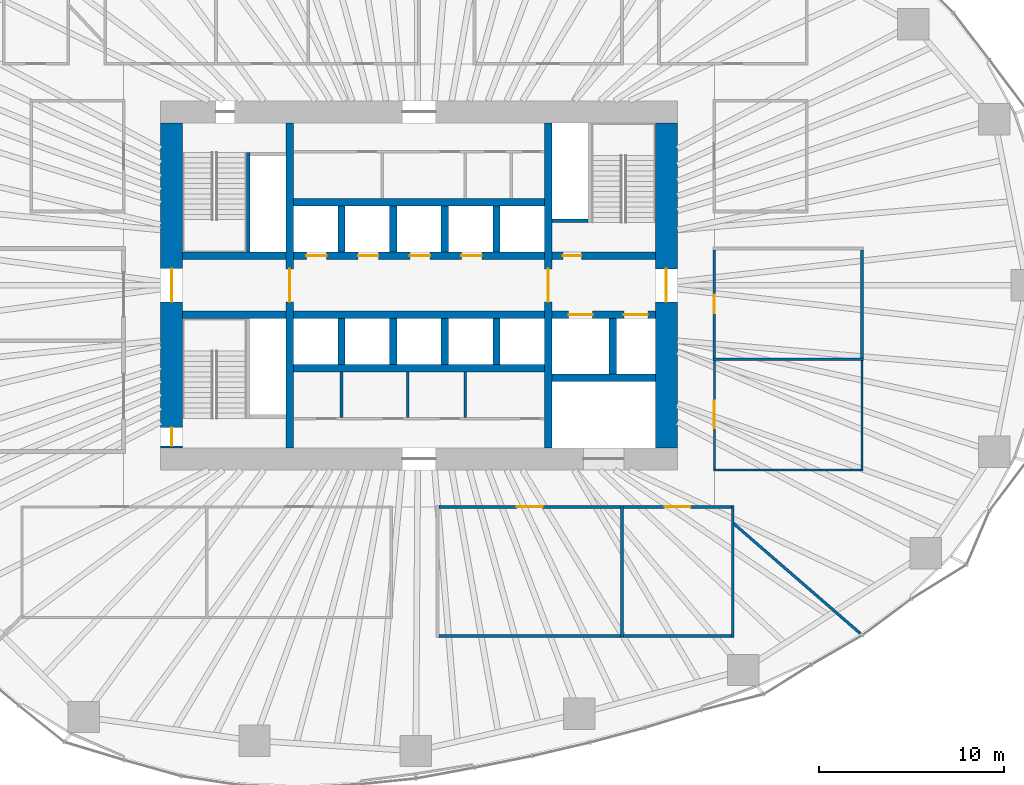
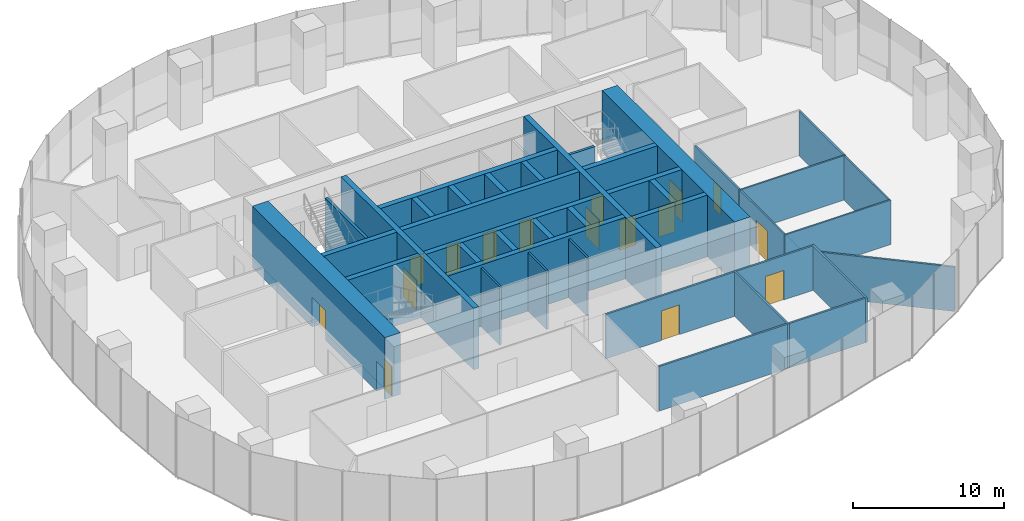
# One storey, part 10 of 20: 40 walls, 16 doors, 16 openings.
"""IFC4 building model written with IfcOpenShell, lengths in metres."""

from ifc_helpers import new_model, si_unit, direction, frame, frame_2d, origin, place, context, subcontext, project, spatial, rectangle, extrude, material, layer, layer_set, type_object, element, fill, save


model = new_model("IFC4")

# Units and contexts
model_context = context("Model", 3, precision=1e-05, world=origin(), true_north=direction((0.0, 1.0)))
body_context = subcontext(model_context, "Body", "Model", "MODEL_VIEW")
ifc_project = project(units=[si_unit("LENGTHUNIT", "METRE"), si_unit("AREAUNIT", "SQUARE_METRE"), si_unit("VOLUMEUNIT", "CUBIC_METRE"), si_unit("PLANEANGLEUNIT", "RADIAN"), si_unit("MASSUNIT", "GRAM", prefix="KILO")], contexts=[model_context])

# Site, building, storey
site_placement = place(None, origin())
site = spatial("IfcSite", under=ifc_project, at=site_placement, CompositionType="ELEMENT")
building_placement = place(site_placement, origin())
building = spatial("IfcBuilding", under=site, at=building_placement, Name="Ghaith Harvest Tower", CompositionType="ELEMENT")
storey_placement = place(building_placement, frame((0.0, 0.0, 85.0)))
storey = spatial("IfcBuildingStorey", under=building, at=storey_placement, Name="L17", CompositionType="ELEMENT", Elevation=85.0)

# Walls
ifc_material_1 = material(Name="Concrete blockwork, fair-faced", Category="masonry")
ifc_layer_1 = layer(ifc_material_1, 0.139892578125)
ifc_layer_set_1 = layer_set([ifc_layer_1], Name="CORE PARTITION 140")
wall_type_1 = type_object("IfcWallType", Name="CORE PARTITION 140", PredefinedType="PARTITIONING", material=ifc_layer_set_1)
for number, where, z_axis, x_axis, name in (
    (1, (-4.199951171875, -4.699951171875, 0.0), (0.0, 0.0, 1.0), (0.0, -1.0, 0.0), "Core partition L17"),
    (2, (-0.60009765625, -4.699951171875, 0.0), (0.0, 0.0, 1.0), (0.0, -1.0, 0.0), "Core partition L17"),
    (3, (2.5, -4.699951171875, 0.0), (0.0, 0.0, 1.0), (0.0, -1.0, 0.0), "Core partition L17"),
):
    element("IfcWall", number, at=place(storey_placement, frame(where, z_axis=z_axis, x_axis=x_axis)), inside=storey, type_object=wall_type_1, Name=name, PredefinedType="PARTITIONING", context=body_context, shape_type="SweptSolid", body=[
        extrude(rectangle(XDim=2.4599609375, YDim=0.139892578125, at=frame_2d((1.22998046875, 0.0))), origin(), (0.0, 0.0, 1.0), 4.75),
    ])

# Wall, openings, doors
ifc_material_2 = material(Name="Concrete C70/85", Category="concrete")
ifc_layer_2 = layer(ifc_material_2, 1.199951171875)
ifc_layer_set_2 = layer_set([ifc_layer_2], Name="CORE WALL CW1200")
wall_type_2 = type_object("IfcWallType", Name="CORE WALL CW1200", PredefinedType="SHEAR", material=ifc_layer_set_2)
wall_1_placement = place(storey_placement, frame((-13.39990234375, 8.800048828125, 0.0), z_axis=(0.0, 0.0, 1.0), x_axis=(0.0, -1.0, 0.0)))
wall_1 = element("IfcWall", 4, at=wall_1_placement, inside=storey, type_object=wall_type_2, Name="Core wall W L17", PredefinedType="SHEAR", context=body_context, shape_type="SweptSolid", body=[
    extrude(rectangle(XDim=17.60009765625, YDim=1.199951171875, at=frame_2d((8.800048828125, 0.0))), origin(), (0.0, 0.0, 1.0), 5.0),
])
opening_1_placement = place(wall_1_placement, frame((7.89990234375, 0.0, 0.0)))
opening_1 = element("IfcOpeningElement", 5, at=opening_1_placement, cuts=wall_1, Name="Opening 17-001", PredefinedType="OPENING", context=body_context, shape_type="SweptSolid", body=[
    extrude(rectangle(XDim=1.800048828125, YDim=2.39990234375, at=frame_2d((0.89990234375, 1.199951171875))), frame((0.0, 0.60986328125, 0.0), z_axis=(0.0, -1.0, 0.0), x_axis=(1.0, 0.0, 0.0)), (0.0, 0.0, 1.0), 1.219970703125),
])
opening_2_placement = place(wall_1_placement, frame((16.5, 0.0, 0.0)))
opening_2 = element("IfcOpeningElement", 6, at=opening_2_placement, cuts=wall_1, Name="Opening 17-006", PredefinedType="OPENING", context=body_context, shape_type="SweptSolid", body=[
    extrude(rectangle(XDim=1.0, YDim=2.39990234375, at=frame_2d((0.5, 1.199951171875))), frame((0.0, 0.60986328125, 0.0), z_axis=(0.0, -1.0, 0.0), x_axis=(1.0, 0.0, 0.0)), (0.0, 0.0, 1.0), 1.219970703125),
])
ifc_material_3 = material(Name="Steel fire door", Category="steel")
door_type_1 = type_object("IfcDoorType", Name="D3 FD90 1000x2400", OperationType="SINGLE_SWING_LEFT", PredefinedType="DOOR", material=ifc_material_3)
door_1_placement = place(opening_2_placement, origin())
door_1 = element("IfcDoor", 7, at=door_1_placement, inside=storey, type_object=door_type_1, Name="Stair ST3 door", OperationType="SINGLE_SWING_RIGHT", OverallHeight=2.39990234375, OverallWidth=1.0, PredefinedType="DOOR", context=body_context, shape_type="SweptSolid", body=[
    extrude(rectangle(XDim=1.0, YDim=2.39990234375, at=frame_2d((0.5, 1.199951171875))), frame((0.0, 0.02490234375, 0.0), z_axis=(0.0, -1.0, 0.0), x_axis=(1.0, 0.0, 0.0)), (0.0, 0.0, 1.0), 0.050048828125),
])
fill(opening_2, door_1)
ifc_material_4 = material(Name="Steel fire door", Category="steel")
door_type_2 = type_object("IfcDoorType", Name="D4 FD90 PAIR 1800x2400", OperationType="DOUBLE_DOOR_SINGLE_SWING", PredefinedType="DOOR", material=ifc_material_4)
door_2_placement = place(opening_1_placement, origin())
door_2 = element("IfcDoor", 8, at=door_2_placement, inside=storey, type_object=door_type_2, Name="West lobby doors", OperationType="DOUBLE_DOOR_SINGLE_SWING", OverallHeight=2.39990234375, OverallWidth=1.800048828125, PredefinedType="DOOR", context=body_context, shape_type="SweptSolid", body=[
    extrude(rectangle(XDim=1.800048828125, YDim=2.39990234375, at=frame_2d((0.89990234375, 1.199951171875))), frame((0.0, 0.02490234375, 0.0), z_axis=(0.0, -1.0, 0.0), x_axis=(1.0, 0.0, 0.0)), (0.0, 0.0, 1.0), 0.050048828125),
])
fill(opening_1, door_2)

# Wall, opening, door
wall_2_placement = place(storey_placement, frame((13.39990234375, -8.800048828125, 0.0), z_axis=(0.0, 0.0, 1.0), x_axis=(0.0, 1.0, 0.0)))
wall_2 = element("IfcWall", 9, at=wall_2_placement, inside=storey, type_object=wall_type_2, Name="Core wall E L17", PredefinedType="SHEAR", context=body_context, shape_type="SweptSolid", body=[
    extrude(rectangle(XDim=17.60009765625, YDim=1.199951171875, at=frame_2d((8.800048828125, 0.0))), origin(), (0.0, 0.0, 1.0), 5.0),
])
opening_3_placement = place(wall_2_placement, frame((7.89990234375, 0.0, 0.0)))
opening_3 = element("IfcOpeningElement", 10, at=opening_3_placement, cuts=wall_2, Name="Opening 17-002", PredefinedType="OPENING", context=body_context, shape_type="SweptSolid", body=[
    extrude(rectangle(XDim=1.800048828125, YDim=2.39990234375, at=frame_2d((0.89990234375, 1.199951171875))), frame((0.0, 0.60986328125, 0.0), z_axis=(0.0, -1.0, 0.0), x_axis=(1.0, 0.0, 0.0)), (0.0, 0.0, 1.0), 1.219970703125),
])
door_3_placement = place(opening_3_placement, origin())
door_3 = element("IfcDoor", 11, at=door_3_placement, inside=storey, type_object=door_type_2, Name="Fire-fighting lobby doors", OperationType="DOUBLE_DOOR_SINGLE_SWING", OverallHeight=2.39990234375, OverallWidth=1.800048828125, PredefinedType="DOOR", context=body_context, shape_type="SweptSolid", body=[
    extrude(rectangle(XDim=1.800048828125, YDim=2.39990234375, at=frame_2d((0.89990234375, 1.199951171875))), frame((0.0, 0.02490234375, 0.0), z_axis=(0.0, -1.0, 0.0), x_axis=(1.0, 0.0, 0.0)), (0.0, 0.0, 1.0), 0.050048828125),
])
fill(opening_3, door_3)

# Walls
ifc_material_5 = material(Name="Insulated food-grade panel", Category="steel")
ifc_layer_3 = layer(ifc_material_5, 0.1201171875)
ifc_layer_set_3 = layer_set([ifc_layer_3], Name="INSULATED PANEL WALL 120")
wall_type_3 = type_object("IfcWallType", Name="INSULATED PANEL WALL 120", PredefinedType="PARTITIONING", material=ifc_layer_set_3)
wall_3_placement = place(storey_placement, frame((15.93994140625, -10.0, 0.0), z_axis=(0.0, 0.0, 1.0), x_axis=(1.0, 0.0, 0.0)))
element("IfcWall", 12, at=wall_3_placement, inside=storey, type_object=wall_type_3, Name="Partition L17 row E3 cross wall 1", PredefinedType="PARTITIONING", context=body_context, shape_type="SweptSolid", body=[
    extrude(rectangle(XDim=8.1201171875, YDim=0.1201171875, at=frame_2d((4.06005859375, 0.0))), origin(), (0.0, 0.0, 1.0), 3.60009765625),
])
wall_4_placement = place(storey_placement, frame((15.925048828125, -4.0, 0.0), z_axis=(0.0, 0.0, 1.0), x_axis=(1.0, 0.0, 0.0)))
element("IfcWall", 13, at=wall_4_placement, inside=storey, type_object=wall_type_3, Name="Partition L17 row E3 cross wall 2", PredefinedType="PARTITIONING", context=body_context, shape_type="SweptSolid", body=[
    extrude(rectangle(XDim=8.14990234375, YDim=0.1201171875, at=frame_2d((4.074951171875, 0.0))), origin(), (0.0, 0.0, 1.0), 3.60009765625),
])

# Wall, opening, door
wall_5_placement = place(storey_placement, frame((16.0, -9.93994140625, 0.0), z_axis=(0.0, 0.0, 1.0), x_axis=(0.0, 1.0, 0.0)))
wall_5 = element("IfcWall", 14, at=wall_5_placement, inside=storey, type_object=wall_type_3, Name="Partition L17-05", PredefinedType="PARTITIONING", context=body_context, shape_type="SweptSolid", body=[
    extrude(rectangle(XDim=5.8798828125, YDim=0.1201171875, at=frame_2d((2.93994140625, 0.0))), origin(), (0.0, 0.0, 1.0), 3.60009765625),
])
opening_4_placement = place(wall_5_placement, frame((2.18994140625, 0.0, 0.0)))
opening_4 = element("IfcOpeningElement", 15, at=opening_4_placement, cuts=wall_5, Name="Opening 17-029", PredefinedType="OPENING", context=body_context, shape_type="SweptSolid", body=[
    extrude(rectangle(XDim=1.5, YDim=2.5, at=frame_2d((0.75, 1.25))), frame((0.0, 0.070068359375, 0.0), z_axis=(0.0, -1.0, 0.0), x_axis=(1.0, 0.0, 0.0)), (0.0, 0.0, 1.0), 0.14013671875),
])
ifc_material_6 = material(Name="Insulated steel sliding door", Category="steel")
door_type_3 = type_object("IfcDoorType", Name="D13 COLD STORE SLIDING 1500x2500", OperationType="SLIDING_TO_LEFT", PredefinedType="DOOR", material=ifc_material_6)
door_4_placement = place(opening_4_placement, origin())
door_4 = element("IfcDoor", 16, at=door_4_placement, inside=storey, type_object=door_type_3, Name="Cold store door", OperationType="SLIDING_TO_LEFT", OverallHeight=2.5, OverallWidth=1.5, PredefinedType="DOOR", context=body_context, shape_type="SweptSolid", body=[
    extrude(rectangle(XDim=1.5, YDim=2.5, at=frame_2d((0.75, 1.25))), frame((0.0, 0.02490234375, 0.0), z_axis=(0.0, -1.0, 0.0), x_axis=(1.0, 0.0, 0.0)), (0.0, 0.0, 1.0), 0.050048828125),
])
fill(opening_4, door_4)

# Walls
wall_6_placement = place(storey_placement, frame((24.0, -9.93994140625, 0.0), z_axis=(0.0, 0.0, 1.0), x_axis=(0.0, 1.0, 0.0)))
element("IfcWall", 17, at=wall_6_placement, inside=storey, type_object=wall_type_3, Name="Partition L17-05", PredefinedType="PARTITIONING", context=body_context, shape_type="SweptSolid", body=[
    extrude(rectangle(XDim=5.8798828125, YDim=0.1201171875, at=frame_2d((2.93994140625, 0.0))), origin(), (0.0, 0.0, 1.0), 3.60009765625),
])
ifc_material_7 = material(Name="Gypsum board on steel studs", Category="steel")
ifc_layer_4 = layer(ifc_material_7, 0.14990234375)
ifc_layer_set_4 = layer_set([ifc_layer_4], Name="PARTITION 150")
wall_type_4 = type_object("IfcWallType", Name="PARTITION 150", PredefinedType="PARTITIONING", material=ifc_layer_set_4)
for number, where, z_axis, x_axis, name in (
    (18, (11.0, -11.925048828125, 0.0), (0.0, 0.0, 1.0), (0.0, -1.0, 0.0), "Partition L17 row S2 cross wall 2"),
    (19, (17.0, -11.925048828125, 0.0), (0.0, 0.0, 1.0), (0.0, -1.0, 0.0), "Partition L17 row S2 cross wall 3"),
):
    element("IfcWall", number, at=place(storey_placement, frame(where, z_axis=z_axis, x_axis=x_axis)), inside=storey, type_object=wall_type_4, Name=name, PredefinedType="PARTITIONING", context=body_context, shape_type="SweptSolid", body=[
        extrude(rectangle(XDim=7.14990234375, YDim=0.14990234375, at=frame_2d((3.574951171875, 0.0))), origin(), (0.0, 0.0, 1.0), 3.60009765625),
    ])

# Wall, opening, door
wall_7_placement = place(storey_placement, frame((1.074951171875, -12.0, 0.0), z_axis=(0.0, 0.0, 1.0), x_axis=(1.0, 0.0, 0.0)))
wall_7 = element("IfcWall", 20, at=wall_7_placement, inside=storey, type_object=wall_type_4, Name="Partition L17-03", PredefinedType="PARTITIONING", context=body_context, shape_type="SweptSolid", body=[
    extrude(rectangle(XDim=9.85009765625, YDim=0.14990234375, at=frame_2d((4.925048828125, 0.0))), origin(), (0.0, 0.0, 1.0), 3.60009765625),
])
opening_5_placement = place(wall_7_placement, frame((4.22509765625, 0.0, 0.0)))
opening_5 = element("IfcOpeningElement", 21, at=opening_5_placement, cuts=wall_7, Name="Opening 17-027", PredefinedType="OPENING", context=body_context, shape_type="SweptSolid", body=[
    extrude(rectangle(XDim=1.39990234375, YDim=2.39990234375, at=frame_2d((0.699951171875, 1.199951171875))), frame((0.0, 0.0849609375, 0.0), z_axis=(0.0, -1.0, 0.0), x_axis=(1.0, 0.0, 0.0)), (0.0, 0.0, 1.0), 0.169921875),
])
ifc_material_8 = material(Name="Stainless steel faced door pair", Category="steel")
door_type_4 = type_object("IfcDoorType", Name="D14 HYGIENE PAIR 1400x2400", OperationType="DOUBLE_DOOR_DOUBLE_SWING", PredefinedType="DOOR", material=ifc_material_8)
door_5_placement = place(opening_5_placement, origin())
door_5 = element("IfcDoor", 22, at=door_5_placement, inside=storey, type_object=door_type_4, Name="Harvest room door", OperationType="DOUBLE_DOOR_DOUBLE_SWING", OverallHeight=2.39990234375, OverallWidth=1.39990234375, PredefinedType="DOOR", context=body_context, shape_type="SweptSolid", body=[
    extrude(rectangle(XDim=1.39990234375, YDim=2.39990234375, at=frame_2d((0.699951171875, 1.199951171875))), frame((0.0, 0.02490234375, 0.0), z_axis=(0.0, -1.0, 0.0), x_axis=(1.0, 0.0, 0.0)), (0.0, 0.0, 1.0), 0.050048828125),
])
fill(opening_5, door_5)

# Wall
wall_8_placement = place(storey_placement, frame((1.074951171875, -19.0, 0.0), z_axis=(0.0, 0.0, 1.0), x_axis=(1.0, 0.0, 0.0)))
element("IfcWall", 23, at=wall_8_placement, inside=storey, type_object=wall_type_4, Name="Partition L17-03", PredefinedType="PARTITIONING", context=body_context, shape_type="SweptSolid", body=[
    extrude(rectangle(XDim=9.85009765625, YDim=0.14990234375, at=frame_2d((4.925048828125, 0.0))), origin(), (0.0, 0.0, 1.0), 3.60009765625),
])

# Wall, opening, door
wall_9_placement = place(storey_placement, frame((11.074951171875, -12.0, 0.0), z_axis=(0.0, 0.0, 1.0), x_axis=(1.0, 0.0, 0.0)))
wall_9 = element("IfcWall", 24, at=wall_9_placement, inside=storey, type_object=wall_type_4, Name="Partition L17-04", PredefinedType="PARTITIONING", context=body_context, shape_type="SweptSolid", body=[
    extrude(rectangle(XDim=5.85009765625, YDim=0.14990234375, at=frame_2d((2.925048828125, 0.0))), origin(), (0.0, 0.0, 1.0), 3.60009765625),
])
opening_6_placement = place(wall_9_placement, frame((2.22509765625, 0.0, 0.0)))
opening_6 = element("IfcOpeningElement", 25, at=opening_6_placement, cuts=wall_9, Name="Opening 17-028", PredefinedType="OPENING", context=body_context, shape_type="SweptSolid", body=[
    extrude(rectangle(XDim=1.39990234375, YDim=2.39990234375, at=frame_2d((0.699951171875, 1.199951171875))), frame((0.0, 0.0849609375, 0.0), z_axis=(0.0, -1.0, 0.0), x_axis=(1.0, 0.0, 0.0)), (0.0, 0.0, 1.0), 0.169921875),
])
door_6_placement = place(opening_6_placement, origin())
door_6 = element("IfcDoor", 26, at=door_6_placement, inside=storey, type_object=door_type_4, Name="Washing room door", OperationType="DOUBLE_DOOR_DOUBLE_SWING", OverallHeight=2.39990234375, OverallWidth=1.39990234375, PredefinedType="DOOR", context=body_context, shape_type="SweptSolid", body=[
    extrude(rectangle(XDim=1.39990234375, YDim=2.39990234375, at=frame_2d((0.699951171875, 1.199951171875))), frame((0.0, 0.02490234375, 0.0), z_axis=(0.0, -1.0, 0.0), x_axis=(1.0, 0.0, 0.0)), (0.0, 0.0, 1.0), 0.050048828125),
])
fill(opening_6, door_6)

# Wall
wall_10_placement = place(storey_placement, frame((11.074951171875, -19.0, 0.0), z_axis=(0.0, 0.0, 1.0), x_axis=(1.0, 0.0, 0.0)))
element("IfcWall", 27, at=wall_10_placement, inside=storey, type_object=wall_type_4, Name="Partition L17-04", PredefinedType="PARTITIONING", context=body_context, shape_type="SweptSolid", body=[
    extrude(rectangle(XDim=5.85009765625, YDim=0.14990234375, at=frame_2d((2.925048828125, 0.0))), origin(), (0.0, 0.0, 1.0), 3.60009765625),
])

# Wall, opening, door
wall_11_placement = place(storey_placement, frame((16.0, -3.93994140625, 0.0), z_axis=(0.0, 0.0, 1.0), x_axis=(0.0, 1.0, 0.0)))
wall_11 = element("IfcWall", 28, at=wall_11_placement, inside=storey, type_object=wall_type_4, Name="Partition L17-06", PredefinedType="PARTITIONING", context=body_context, shape_type="SweptSolid", body=[
    extrude(rectangle(XDim=5.864990234375, YDim=0.14990234375, at=frame_2d((2.9326171875, 0.0))), origin(), (0.0, 0.0, 1.0), 3.60009765625),
])
opening_7_placement = place(wall_11_placement, frame((2.4326171875, 0.0, 0.0)))
opening_7 = element("IfcOpeningElement", 29, at=opening_7_placement, cuts=wall_11, Name="Opening 17-030", PredefinedType="OPENING", context=body_context, shape_type="SweptSolid", body=[
    extrude(rectangle(XDim=1.0, YDim=2.199951171875, at=frame_2d((0.5, 1.10009765625))), frame((0.0, 0.0849609375, 0.0), z_axis=(0.0, -1.0, 0.0), x_axis=(1.0, 0.0, 0.0)), (0.0, 0.0, 1.0), 0.169921875),
])
ifc_material_9 = material(Name="Timber door", Category="wood")
door_type_5 = type_object("IfcDoorType", Name="D1 SINGLE 1000x2200", OperationType="SINGLE_SWING_LEFT", PredefinedType="DOOR", material=ifc_material_9)
door_7_placement = place(opening_7_placement, origin())
door_7 = element("IfcDoor", 30, at=door_7_placement, inside=storey, type_object=door_type_5, Name="Crate store door", OperationType="SINGLE_SWING_LEFT", OverallHeight=2.199951171875, OverallWidth=1.0, PredefinedType="DOOR", context=body_context, shape_type="SweptSolid", body=[
    extrude(rectangle(XDim=1.0, YDim=2.199951171875, at=frame_2d((0.5, 1.10009765625))), frame((0.0, 0.02490234375, 0.0), z_axis=(0.0, -1.0, 0.0), x_axis=(1.0, 0.0, 0.0)), (0.0, 0.0, 1.0), 0.050048828125),
])
fill(opening_7, door_7)

# Walls
wall_12_placement = place(storey_placement, frame((24.0, -3.93994140625, 0.0), z_axis=(0.0, 0.0, 1.0), x_axis=(0.0, 1.0, 0.0)))
element("IfcWall", 31, at=wall_12_placement, inside=storey, type_object=wall_type_4, Name="Partition L17-06", PredefinedType="PARTITIONING", context=body_context, shape_type="SweptSolid", body=[
    extrude(rectangle(XDim=5.864990234375, YDim=0.14990234375, at=frame_2d((2.9326171875, 0.0))), origin(), (0.0, 0.0, 1.0), 3.60009765625),
])
wall_13_placement = place(storey_placement, frame((17.02001953125, -12.884765625, 0.0), z_axis=(0.0, 0.0, 1.0), x_axis=(0.755439011433, -0.655218971035, 0.0)))
element("IfcWall", 32, at=wall_13_placement, inside=storey, type_object=wall_type_4, Name="Partition L17 zone division", PredefinedType="PARTITIONING", context=body_context, shape_type="SweptSolid", body=[
    extrude(rectangle(XDim=9.1181640625, YDim=0.14990234375, at=frame_2d((4.55908203125, 0.0))), origin(), (0.0, 0.0, 1.0), 3.60009765625),
])

# Wall, opening, door
ifc_material_10 = material(Name="Concrete C70/85", Category="concrete")
ifc_layer_5 = layer(ifc_material_10, 0.39990234375)
ifc_layer_set_5 = layer_set([ifc_layer_5], Name="SHAFT WALL 400")
wall_type_5 = type_object("IfcWallType", Name="SHAFT WALL 400", PredefinedType="SHEAR", material=ifc_layer_set_5)
wall_14_placement = place(storey_placement, frame((-7.0, -8.800048828125, 0.0), z_axis=(0.0, 0.0, 1.0), x_axis=(0.0, 1.0, 0.0)))
wall_14 = element("IfcWall", 33, at=wall_14_placement, inside=storey, type_object=wall_type_5, Name="Shaft wall W7W L17", PredefinedType="SHEAR", context=body_context, shape_type="SweptSolid", body=[
    extrude(rectangle(XDim=17.60009765625, YDim=0.39990234375, at=frame_2d((8.800048828125, 0.0))), origin(), (0.0, 0.0, 1.0), 5.0),
])
opening_8_placement = place(wall_14_placement, frame((7.89990234375, 0.0, 0.0)))
opening_8 = element("IfcOpeningElement", 34, at=opening_8_placement, cuts=wall_14, Name="Opening 17-003", PredefinedType="OPENING", context=body_context, shape_type="SweptSolid", body=[
    extrude(rectangle(XDim=1.800048828125, YDim=2.39990234375, at=frame_2d((0.89990234375, 1.199951171875))), frame((0.0, 0.2099609375, 0.0), z_axis=(0.0, -1.0, 0.0), x_axis=(1.0, 0.0, 0.0)), (0.0, 0.0, 1.0), 0.419921875),
])
door_8_placement = place(opening_8_placement, origin())
door_8 = element("IfcDoor", 35, at=door_8_placement, inside=storey, type_object=door_type_2, Name="Lift lobby doors, west", OperationType="DOUBLE_DOOR_SINGLE_SWING", OverallHeight=2.39990234375, OverallWidth=1.800048828125, PredefinedType="DOOR", context=body_context, shape_type="SweptSolid", body=[
    extrude(rectangle(XDim=1.800048828125, YDim=2.39990234375, at=frame_2d((0.89990234375, 1.199951171875))), frame((0.0, 0.02490234375, 0.0), z_axis=(0.0, -1.0, 0.0), x_axis=(1.0, 0.0, 0.0)), (0.0, 0.0, 1.0), 0.050048828125),
])
fill(opening_8, door_8)

wall_15_placement = place(storey_placement, frame((7.0, -8.800048828125, 0.0), z_axis=(0.0, 0.0, 1.0), x_axis=(0.0, 1.0, 0.0)))
wall_15 = element("IfcWall", 36, at=wall_15_placement, inside=storey, type_object=wall_type_5, Name="Shaft wall W7E L17", PredefinedType="SHEAR", context=body_context, shape_type="SweptSolid", body=[
    extrude(rectangle(XDim=17.60009765625, YDim=0.39990234375, at=frame_2d((8.800048828125, 0.0))), origin(), (0.0, 0.0, 1.0), 5.0),
])
opening_9_placement = place(wall_15_placement, frame((7.89990234375, 0.0, 0.0)))
opening_9 = element("IfcOpeningElement", 37, at=opening_9_placement, cuts=wall_15, Name="Opening 17-004", PredefinedType="OPENING", context=body_context, shape_type="SweptSolid", body=[
    extrude(rectangle(XDim=1.800048828125, YDim=2.39990234375, at=frame_2d((0.89990234375, 1.199951171875))), frame((0.0, 0.2099609375, 0.0), z_axis=(0.0, -1.0, 0.0), x_axis=(1.0, 0.0, 0.0)), (0.0, 0.0, 1.0), 0.419921875),
])
door_9_placement = place(opening_9_placement, origin())
door_9 = element("IfcDoor", 38, at=door_9_placement, inside=storey, type_object=door_type_2, Name="Lift lobby doors, east", OperationType="DOUBLE_DOOR_SINGLE_SWING", OverallHeight=2.39990234375, OverallWidth=1.800048828125, PredefinedType="DOOR", context=body_context, shape_type="SweptSolid", body=[
    extrude(rectangle(XDim=1.800048828125, YDim=2.39990234375, at=frame_2d((0.89990234375, 1.199951171875))), frame((0.0, 0.02490234375, 0.0), z_axis=(0.0, -1.0, 0.0), x_axis=(1.0, 0.0, 0.0)), (0.0, 0.0, 1.0), 0.050048828125),
])
fill(opening_9, door_9)

# Wall, openings, doors
wall_16_placement = place(storey_placement, frame((-6.800048828125, 1.60009765625, 0.0), z_axis=(0.0, 0.0, 1.0), x_axis=(1.0, 0.0, 0.0)))
wall_16 = element("IfcWall", 39, at=wall_16_placement, inside=storey, type_object=wall_type_5, Name="Shaft wall LN L17", PredefinedType="SHEAR", context=body_context, shape_type="SweptSolid", body=[
    extrude(rectangle(XDim=13.60009765625, YDim=0.39990234375, at=frame_2d((6.800048828125, 0.0))), origin(), (0.0, 0.0, 1.0), 5.0),
])
opening_10_placement = place(wall_16_placement, frame((0.699951171875, 0.0, 0.0)))
opening_10 = element("IfcOpeningElement", 40, at=opening_10_placement, cuts=wall_16, Name="Opening 17-018", PredefinedType="OPENING", context=body_context, shape_type="SweptSolid", body=[
    extrude(rectangle(XDim=1.10009765625, YDim=2.39990234375, at=frame_2d((0.550048828125, 1.199951171875))), frame((0.0, 0.2099609375, 0.0), z_axis=(0.0, -1.0, 0.0), x_axis=(1.0, 0.0, 0.0)), (0.0, 0.0, 1.0), 0.419921875),
])
opening_11_placement = place(wall_16_placement, frame((3.5, 0.0, 0.0)))
opening_11 = element("IfcOpeningElement", 41, at=opening_11_placement, cuts=wall_16, Name="Opening 17-019", PredefinedType="OPENING", context=body_context, shape_type="SweptSolid", body=[
    extrude(rectangle(XDim=1.10009765625, YDim=2.39990234375, at=frame_2d((0.550048828125, 1.199951171875))), frame((0.0, 0.2099609375, 0.0), z_axis=(0.0, -1.0, 0.0), x_axis=(1.0, 0.0, 0.0)), (0.0, 0.0, 1.0), 0.419921875),
])
opening_12_placement = place(wall_16_placement, frame((6.300048828125, 0.0, 0.0)))
opening_12 = element("IfcOpeningElement", 42, at=opening_12_placement, cuts=wall_16, Name="Opening 17-020", PredefinedType="OPENING", context=body_context, shape_type="SweptSolid", body=[
    extrude(rectangle(XDim=1.10009765625, YDim=2.39990234375, at=frame_2d((0.550048828125, 1.199951171875))), frame((0.0, 0.2099609375, 0.0), z_axis=(0.0, -1.0, 0.0), x_axis=(1.0, 0.0, 0.0)), (0.0, 0.0, 1.0), 0.419921875),
])
opening_13_placement = place(wall_16_placement, frame((9.10009765625, 0.0, 0.0)))
opening_13 = element("IfcOpeningElement", 43, at=opening_13_placement, cuts=wall_16, Name="Opening 17-021", PredefinedType="OPENING", context=body_context, shape_type="SweptSolid", body=[
    extrude(rectangle(XDim=1.10009765625, YDim=2.39990234375, at=frame_2d((0.550048828125, 1.199951171875))), frame((0.0, 0.2099609375, 0.0), z_axis=(0.0, -1.0, 0.0), x_axis=(1.0, 0.0, 0.0)), (0.0, 0.0, 1.0), 0.419921875),
])
ifc_material_11 = material(Name="Steel fire door", Category="steel")
door_type_6 = type_object("IfcDoorType", Name="LD1 LANDING 1100x2400", OperationType="DOUBLE_DOOR_SLIDING", PredefinedType="DOOR", material=ifc_material_11)
door_10_placement = place(opening_10_placement, origin())
door_10 = element("IfcDoor", 44, at=door_10_placement, inside=storey, type_object=door_type_6, Name="Landing door, lift FA1", OperationType="DOUBLE_DOOR_SLIDING", OverallHeight=2.39990234375, OverallWidth=1.10009765625, PredefinedType="DOOR", context=body_context, shape_type="SweptSolid", body=[
    extrude(rectangle(XDim=1.10009765625, YDim=2.39990234375, at=frame_2d((0.550048828125, 1.199951171875))), frame((0.0, 0.02490234375, 0.0), z_axis=(0.0, -1.0, 0.0), x_axis=(1.0, 0.0, 0.0)), (0.0, 0.0, 1.0), 0.050048828125),
])
fill(opening_10, door_10)
door_11_placement = place(opening_11_placement, origin())
door_11 = element("IfcDoor", 45, at=door_11_placement, inside=storey, type_object=door_type_6, Name="Landing door, lift FA2", OperationType="DOUBLE_DOOR_SLIDING", OverallHeight=2.39990234375, OverallWidth=1.10009765625, PredefinedType="DOOR", context=body_context, shape_type="SweptSolid", body=[
    extrude(rectangle(XDim=1.10009765625, YDim=2.39990234375, at=frame_2d((0.550048828125, 1.199951171875))), frame((0.0, 0.02490234375, 0.0), z_axis=(0.0, -1.0, 0.0), x_axis=(1.0, 0.0, 0.0)), (0.0, 0.0, 1.0), 0.050048828125),
])
fill(opening_11, door_11)
door_12_placement = place(opening_12_placement, origin())
door_12 = element("IfcDoor", 46, at=door_12_placement, inside=storey, type_object=door_type_6, Name="Landing door, lift FA3", OperationType="DOUBLE_DOOR_SLIDING", OverallHeight=2.39990234375, OverallWidth=1.10009765625, PredefinedType="DOOR", context=body_context, shape_type="SweptSolid", body=[
    extrude(rectangle(XDim=1.10009765625, YDim=2.39990234375, at=frame_2d((0.550048828125, 1.199951171875))), frame((0.0, 0.02490234375, 0.0), z_axis=(0.0, -1.0, 0.0), x_axis=(1.0, 0.0, 0.0)), (0.0, 0.0, 1.0), 0.050048828125),
])
fill(opening_12, door_12)
door_13_placement = place(opening_13_placement, origin())
door_13 = element("IfcDoor", 47, at=door_13_placement, inside=storey, type_object=door_type_6, Name="Landing door, lift FA4", OperationType="DOUBLE_DOOR_SLIDING", OverallHeight=2.39990234375, OverallWidth=1.10009765625, PredefinedType="DOOR", context=body_context, shape_type="SweptSolid", body=[
    extrude(rectangle(XDim=1.10009765625, YDim=2.39990234375, at=frame_2d((0.550048828125, 1.199951171875))), frame((0.0, 0.02490234375, 0.0), z_axis=(0.0, -1.0, 0.0), x_axis=(1.0, 0.0, 0.0)), (0.0, 0.0, 1.0), 0.050048828125),
])
fill(opening_13, door_13)

# Walls
for number, where, z_axis, x_axis, name in (
    (48, (-6.800048828125, -1.60009765625, 0.0), (0.0, 0.0, 1.0), (1.0, 0.0, 0.0), "Shaft wall LS L17"),
    (49, (-6.800048828125, 4.5, 0.0), (0.0, 0.0, 1.0), (1.0, 0.0, 0.0), "Shaft wall BN L17"),
    (50, (-6.800048828125, -4.5, 0.0), (0.0, 0.0, 1.0), (1.0, 0.0, 0.0), "Shaft wall BS L17"),
):
    element("IfcWall", number, at=place(storey_placement, frame(where, z_axis=z_axis, x_axis=x_axis)), inside=storey, type_object=wall_type_5, Name=name, PredefinedType="SHEAR", context=body_context, shape_type="SweptSolid", body=[
        extrude(rectangle(XDim=13.60009765625, YDim=0.39990234375, at=frame_2d((6.800048828125, 0.0))), origin(), (0.0, 0.0, 1.0), 5.0),
    ])
for number, where, z_axis, x_axis, name in (
    (51, (-12.800048828125, 1.60009765625, 0.0), (0.0, 0.0, 1.0), (1.0, 0.0, 0.0), "Shaft wall WN L17"),
    (52, (-12.800048828125, -1.60009765625, 0.0), (0.0, 0.0, 1.0), (1.0, 0.0, 0.0), "Shaft wall WS L17"),
):
    element("IfcWall", number, at=place(storey_placement, frame(where, z_axis=z_axis, x_axis=x_axis)), inside=storey, type_object=wall_type_5, Name=name, PredefinedType="SHEAR", context=body_context, shape_type="SweptSolid", body=[
        extrude(rectangle(XDim=5.60009765625, YDim=0.39990234375, at=frame_2d((2.800048828125, 0.0))), origin(), (0.0, 0.0, 1.0), 5.0),
    ])

# Wall, opening, door
wall_17_placement = place(storey_placement, frame((7.199951171875, 1.60009765625, 0.0), z_axis=(0.0, 0.0, 1.0), x_axis=(1.0, 0.0, 0.0)))
wall_17 = element("IfcWall", 53, at=wall_17_placement, inside=storey, type_object=wall_type_5, Name="Shaft wall EN L17", PredefinedType="SHEAR", context=body_context, shape_type="SweptSolid", body=[
    extrude(rectangle(XDim=5.60009765625, YDim=0.39990234375, at=frame_2d((2.800048828125, 0.0))), origin(), (0.0, 0.0, 1.0), 5.0),
])
opening_14_placement = place(wall_17_placement, frame((0.60009765625, 0.0, 0.0)))
opening_14 = element("IfcOpeningElement", 54, at=opening_14_placement, cuts=wall_17, Name="Opening 17-007", PredefinedType="OPENING", context=body_context, shape_type="SweptSolid", body=[
    extrude(rectangle(XDim=1.0, YDim=2.39990234375, at=frame_2d((0.5, 1.199951171875))), frame((0.0, 0.2099609375, 0.0), z_axis=(0.0, -1.0, 0.0), x_axis=(1.0, 0.0, 0.0)), (0.0, 0.0, 1.0), 0.419921875),
])
door_14_placement = place(opening_14_placement, origin())
door_14 = element("IfcDoor", 55, at=door_14_placement, inside=storey, type_object=door_type_1, Name="Stair ST2 door", OperationType="SINGLE_SWING_LEFT", OverallHeight=2.39990234375, OverallWidth=1.0, PredefinedType="DOOR", context=body_context, shape_type="SweptSolid", body=[
    extrude(rectangle(XDim=1.0, YDim=2.39990234375, at=frame_2d((0.5, 1.199951171875))), frame((0.0, 0.02490234375, 0.0), z_axis=(0.0, -1.0, 0.0), x_axis=(1.0, 0.0, 0.0)), (0.0, 0.0, 1.0), 0.050048828125),
])
fill(opening_14, door_14)

# Wall, openings, doors
wall_18_placement = place(storey_placement, frame((7.199951171875, -1.60009765625, 0.0), z_axis=(0.0, 0.0, 1.0), x_axis=(1.0, 0.0, 0.0)))
wall_18 = element("IfcWall", 56, at=wall_18_placement, inside=storey, type_object=wall_type_5, Name="Shaft wall ES L17", PredefinedType="SHEAR", context=body_context, shape_type="SweptSolid", body=[
    extrude(rectangle(XDim=5.60009765625, YDim=0.39990234375, at=frame_2d((2.800048828125, 0.0))), origin(), (0.0, 0.0, 1.0), 5.0),
])
opening_15_placement = place(wall_18_placement, frame((0.89990234375, 0.0, 0.0)))
opening_15 = element("IfcOpeningElement", 57, at=opening_15_placement, cuts=wall_18, Name="Opening 17-022", PredefinedType="OPENING", context=body_context, shape_type="SweptSolid", body=[
    extrude(rectangle(XDim=1.300048828125, YDim=2.39990234375, at=frame_2d((0.64990234375, 1.199951171875))), frame((0.0, 0.2099609375, 0.0), z_axis=(0.0, -1.0, 0.0), x_axis=(1.0, 0.0, 0.0)), (0.0, 0.0, 1.0), 0.419921875),
])
opening_16_placement = place(wall_18_placement, frame((3.89990234375, 0.0, 0.0)))
opening_16 = element("IfcOpeningElement", 58, at=opening_16_placement, cuts=wall_18, Name="Opening 17-023", PredefinedType="OPENING", context=body_context, shape_type="SweptSolid", body=[
    extrude(rectangle(XDim=1.300048828125, YDim=2.39990234375, at=frame_2d((0.64990234375, 1.199951171875))), frame((0.0, 0.2099609375, 0.0), z_axis=(0.0, -1.0, 0.0), x_axis=(1.0, 0.0, 0.0)), (0.0, 0.0, 1.0), 0.419921875),
])
ifc_material_12 = material(Name="Steel fire door", Category="steel")
door_type_7 = type_object("IfcDoorType", Name="LD2 LANDING 1300x2400", OperationType="DOUBLE_DOOR_SLIDING", PredefinedType="DOOR", material=ifc_material_12)
door_15_placement = place(opening_15_placement, origin())
door_15 = element("IfcDoor", 59, at=door_15_placement, inside=storey, type_object=door_type_7, Name="Landing door, fire service lift FL1", OperationType="DOUBLE_DOOR_SLIDING", OverallHeight=2.39990234375, OverallWidth=1.300048828125, PredefinedType="DOOR", context=body_context, shape_type="SweptSolid", body=[
    extrude(rectangle(XDim=1.300048828125, YDim=2.39990234375, at=frame_2d((0.64990234375, 1.199951171875))), frame((0.0, 0.02490234375, 0.0), z_axis=(0.0, -1.0, 0.0), x_axis=(1.0, 0.0, 0.0)), (0.0, 0.0, 1.0), 0.050048828125),
])
fill(opening_15, door_15)
door_16_placement = place(opening_16_placement, origin())
door_16 = element("IfcDoor", 60, at=door_16_placement, inside=storey, type_object=door_type_7, Name="Landing door, fire service lift FL2", OperationType="DOUBLE_DOOR_SLIDING", OverallHeight=2.39990234375, OverallWidth=1.300048828125, PredefinedType="DOOR", context=body_context, shape_type="SweptSolid", body=[
    extrude(rectangle(XDim=1.300048828125, YDim=2.39990234375, at=frame_2d((0.64990234375, 1.199951171875))), frame((0.0, 0.02490234375, 0.0), z_axis=(0.0, -1.0, 0.0), x_axis=(1.0, 0.0, 0.0)), (0.0, 0.0, 1.0), 0.050048828125),
])
fill(opening_16, door_16)

# Walls
wall_19_placement = place(storey_placement, frame((10.5, -4.800048828125, 0.0), z_axis=(0.0, 0.0, 1.0), x_axis=(0.0, 1.0, 0.0)))
element("IfcWall", 61, at=wall_19_placement, inside=storey, type_object=wall_type_5, Name="Shaft wall FLD L17", PredefinedType="SHEAR", context=body_context, shape_type="SweptSolid", body=[
    extrude(rectangle(XDim=3.0, YDim=0.39990234375, at=frame_2d((1.5, 0.0))), origin(), (0.0, 0.0, 1.0), 5.0),
])
wall_20_placement = place(storey_placement, frame((7.199951171875, -5.0, 0.0), z_axis=(0.0, 0.0, 1.0), x_axis=(1.0, 0.0, 0.0)))
element("IfcWall", 62, at=wall_20_placement, inside=storey, type_object=wall_type_5, Name="Shaft wall FLB L17", PredefinedType="SHEAR", context=body_context, shape_type="SweptSolid", body=[
    extrude(rectangle(XDim=5.60009765625, YDim=0.39990234375, at=frame_2d((2.800048828125, 0.0))), origin(), (0.0, 0.0, 1.0), 5.0),
])
for number, where, z_axis, x_axis, name in (
    (63, (-4.199951171875, 1.800048828125, 0.0), (0.0, 0.0, 1.0), (0.0, 1.0, 0.0), "Shaft wall DN1 L17"),
    (64, (-4.199951171875, -4.300048828125, 0.0), (0.0, 0.0, 1.0), (0.0, 1.0, 0.0), "Shaft wall DS1 L17"),
    (65, (-1.39990234375, 1.800048828125, 0.0), (0.0, 0.0, 1.0), (0.0, 1.0, 0.0), "Shaft wall DN2 L17"),
    (66, (-1.39990234375, -4.300048828125, 0.0), (0.0, 0.0, 1.0), (0.0, 1.0, 0.0), "Shaft wall DS2 L17"),
    (67, (1.39990234375, 1.800048828125, 0.0), (0.0, 0.0, 1.0), (0.0, 1.0, 0.0), "Shaft wall DN3 L17"),
    (68, (1.39990234375, -4.300048828125, 0.0), (0.0, 0.0, 1.0), (0.0, 1.0, 0.0), "Shaft wall DS3 L17"),
    (69, (4.199951171875, 1.800048828125, 0.0), (0.0, 0.0, 1.0), (0.0, 1.0, 0.0), "Shaft wall DN4 L17"),
    (70, (4.199951171875, -4.300048828125, 0.0), (0.0, 0.0, 1.0), (0.0, 1.0, 0.0), "Shaft wall DS4 L17"),
):
    element("IfcWall", number, at=place(storey_placement, frame(where, z_axis=z_axis, x_axis=x_axis)), inside=storey, type_object=wall_type_5, Name=name, PredefinedType="SHEAR", context=body_context, shape_type="SweptSolid", body=[
        extrude(rectangle(XDim=2.5, YDim=0.39990234375, at=frame_2d((1.25, 0.0))), origin(), (0.0, 0.0, 1.0), 5.0),
    ])
ifc_material_13 = material(Name="Concrete C40/50", Category="concrete")
ifc_layer_6 = layer(ifc_material_13, 0.199951171875)
ifc_layer_set_6 = layer_set([ifc_layer_6], Name="STAIR SPINE WALL RC200")
wall_type_6 = type_object("IfcWallType", Name="STAIR SPINE WALL RC200", PredefinedType="SOLIDWALL", material=ifc_layer_set_6)
wall_21_placement = place(storey_placement, frame((-9.25, 7.199951171875, 0.0), z_axis=(0.0, 0.0, 1.0), x_axis=(0.0, -1.0, 0.0)))
element("IfcWall", 71, at=wall_21_placement, inside=storey, type_object=wall_type_6, Name="Stair ST1 spine wall L17", PredefinedType="SOLIDWALL", context=body_context, shape_type="SweptSolid", body=[
    extrude(rectangle(XDim=5.39990234375, YDim=0.199951171875, at=frame_2d((2.699951171875, 0.0))), origin(), (0.0, 0.0, 1.0), 5.0),
])
wall_22_placement = place(storey_placement, frame((9.14990234375, 3.5, 0.0), z_axis=(0.0, 0.0, 1.0), x_axis=(-1.0, 0.0, 0.0)))
element("IfcWall", 72, at=wall_22_placement, inside=storey, type_object=wall_type_6, Name="Stair ST2 spine wall return L17", PredefinedType="SOLIDWALL", context=body_context, shape_type="SweptSolid", body=[
    extrude(rectangle(XDim=1.949951171875, YDim=0.199951171875, at=frame_2d((0.97509765625, 0.0))), origin(), (0.0, 0.0, 1.0), 5.0),
])

save(model, "model.ifc")
